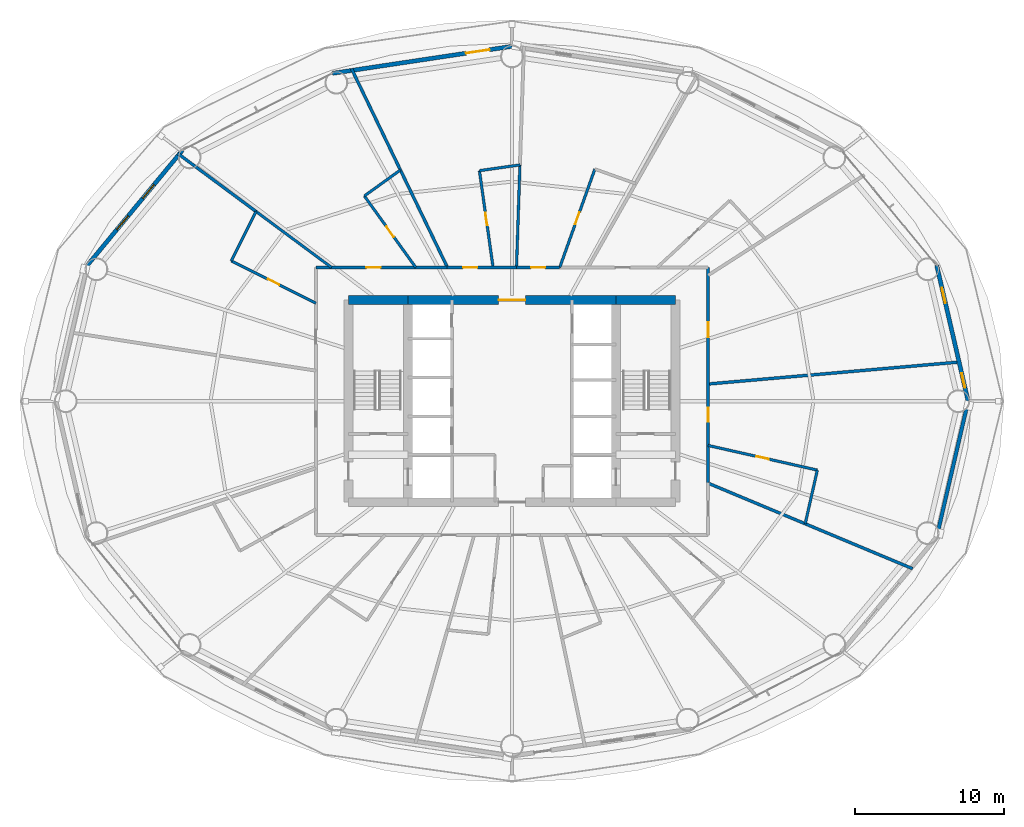
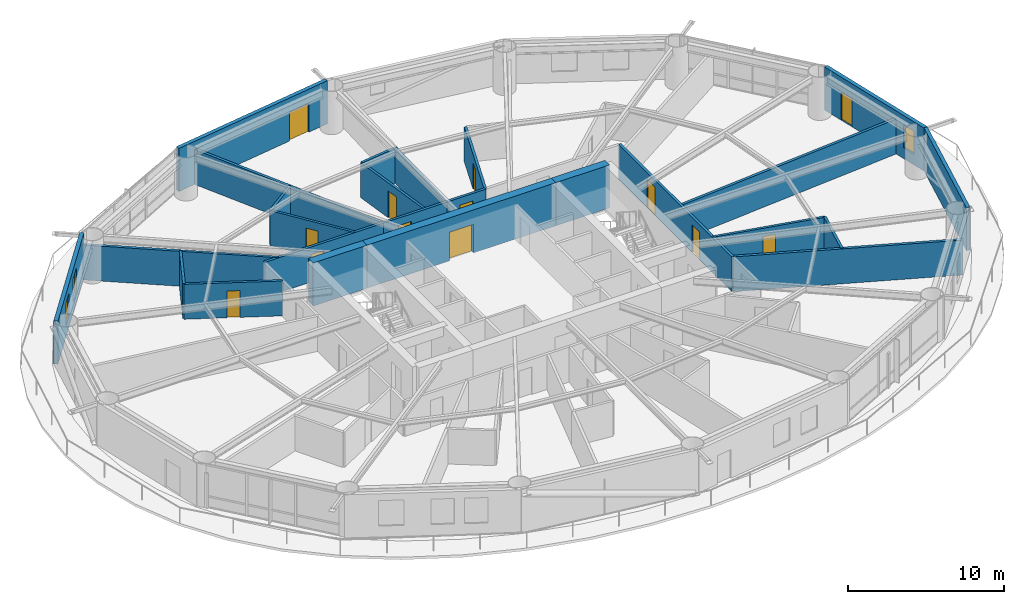
# One storey, part 22 of 26: 26 walls, 13 doors, 3 windows, 16 openings.
"""IFC4 building model written with IfcOpenShell, lengths in metres."""

from ifc_helpers import new_model, si_unit, direction, frame, frame_2d, origin, place, context, subcontext, project, spatial, rectangle, extrude, material, layer, layer_set, type_object, element, fill, save


model = new_model("IFC4")

# Units and contexts
model_context = context("Model", 3, precision=1e-05, world=origin(), true_north=direction((0.0, 1.0)))
body_context = subcontext(model_context, "Body", "Model", "MODEL_VIEW")
ifc_project = project(units=[si_unit("LENGTHUNIT", "METRE"), si_unit("AREAUNIT", "SQUARE_METRE"), si_unit("VOLUMEUNIT", "CUBIC_METRE"), si_unit("PLANEANGLEUNIT", "RADIAN"), si_unit("MASSUNIT", "GRAM", prefix="KILO")], contexts=[model_context])

# Site, building, storey
site_placement = place(None, origin())
site = spatial("IfcSite", under=ifc_project, at=site_placement, CompositionType="ELEMENT")
building_placement = place(site_placement, origin())
building = spatial("IfcBuilding", under=site, at=building_placement, Name="Sarneth Arch Tower", CompositionType="ELEMENT")
storey_placement = place(building_placement, frame((0.0, 0.0, 35.39990234375)))
storey = spatial("IfcBuildingStorey", under=building, at=storey_placement, Name="L07", CompositionType="ELEMENT", Elevation=35.39990234375)

# Wall
ifc_material_1 = material(Name="Concrete C60/75", Category="concrete")
ifc_layer_1 = layer(ifc_material_1, 0.60009765625)
ifc_layer_set_1 = layer_set([ifc_layer_1], Name="Concrete C60/75")
wall_type_1 = type_object("IfcWallType", Name="WALL-CORE-600", PredefinedType="SHEAR", material=ifc_layer_set_1)
wall_1_placement = place(storey_placement, frame((37.0, 48.800048828125, 0.0), z_axis=(0.0, 0.0, 1.0), x_axis=(1.0, 0.0, 0.0)))
element("IfcWall", 1, at=wall_1_placement, inside=storey, type_object=wall_type_1, Name="L07 Core shear wall N-W", PredefinedType="SHEAR", context=body_context, shape_type="SweptSolid", body=[
    extrude(rectangle(XDim=4.0, YDim=0.60009765625, at=frame_2d((2.0, 0.0))), origin(), (0.0, 0.0, 1.0), 3.380126953125),
])

# Wall, opening, door
wall_2_placement = place(storey_placement, frame((41.0, 48.800048828125, 0.0), z_axis=(0.0, 0.0, 1.0), x_axis=(1.0, 0.0, 0.0)))
wall_2 = element("IfcWall", 2, at=wall_2_placement, inside=storey, type_object=wall_type_1, Name="L07 Core shear wall N-M", PredefinedType="SHEAR", context=body_context, shape_type="SweptSolid", body=[
    extrude(rectangle(XDim=14.0, YDim=0.60009765625, at=frame_2d((7.0, 0.0))), origin(), (0.0, 0.0, 1.0), 3.380126953125),
])
opening_1_placement = place(wall_2_placement, frame((6.10009765625, 0.0, 0.0)))
opening_1 = element("IfcOpeningElement", 3, at=opening_1_placement, cuts=wall_2, Name="Opening FD-01", PredefinedType="OPENING", context=body_context, shape_type="SweptSolid", body=[
    extrude(rectangle(XDim=1.800048828125, YDim=2.25, at=frame_2d((0.89990234375, 1.125))), frame((0.0, 0.31005859375, 0.0), z_axis=(0.0, -1.0, 0.0), x_axis=(1.0, 0.0, 0.0)), (0.0, 0.0, 1.0), 0.6201171875),
])
ifc_material_2 = material(Name="Galvanised Steel S275 fire door set", Category="steel")
door_type_1 = type_object("IfcDoorType", Name="DR-FD90-1800", OperationType="DOUBLE_DOOR_SINGLE_SWING", PredefinedType="DOOR", material=ifc_material_2)
door_1_placement = place(opening_1_placement, origin())
door_1 = element("IfcDoor", 4, at=door_1_placement, inside=storey, type_object=door_type_1, Name="L07 Central lift lobby north door", OperationType="DOUBLE_DOOR_SINGLE_SWING", OverallHeight=2.25, OverallWidth=1.800048828125, PredefinedType="DOOR", context=body_context, shape_type="SweptSolid", body=[
    extrude(rectangle(XDim=1.800048828125, YDim=2.25, at=frame_2d((0.89990234375, 1.125))), frame((0.0, 0.02490234375, 0.0), z_axis=(0.0, -1.0, 0.0), x_axis=(1.0, 0.0, 0.0)), (0.0, 0.0, 1.0), 0.050048828125),
])
fill(opening_1, door_1)

# Wall
wall_3_placement = place(storey_placement, frame((55.0, 48.800048828125, 0.0), z_axis=(0.0, 0.0, 1.0), x_axis=(1.0, 0.0, 0.0)))
element("IfcWall", 5, at=wall_3_placement, inside=storey, type_object=wall_type_1, Name="L07 Core shear wall N-E", PredefinedType="SHEAR", context=body_context, shape_type="SweptSolid", body=[
    extrude(rectangle(XDim=4.0, YDim=0.60009765625, at=frame_2d((2.0, 0.0))), origin(), (0.0, 0.0, 1.0), 3.380126953125),
])

# Wall, openings, doors
ifc_material_3 = material(Name="Double steel-stud corridor fire wall", Category="steel")
ifc_layer_2 = layer(ifc_material_3, 0.18994140625)
ifc_layer_set_2 = layer_set([ifc_layer_2], Name="Double steel-stud corridor fire wall")
wall_type_2 = type_object("IfcWallType", Name="WALL-CORR-190", PredefinedType="PARTITIONING", material=ifc_layer_set_2)
wall_4_placement = place(storey_placement, frame((61.199951171875, 51.0, 0.0), z_axis=(0.0, 0.0, 1.0), x_axis=(0.0, -1.0, 0.0)))
wall_4 = element("IfcWall", 6, at=wall_4_placement, inside=storey, type_object=wall_type_2, Name="L07 Interior partition W-L07-TP-001", PredefinedType="PARTITIONING", context=body_context, shape_type="SweptSolid", body=[
    extrude(rectangle(XDim=14.55419921875, YDim=0.18994140625, at=frame_2d((7.277099609375, 0.0))), origin(), (0.0, 0.0, 1.0), 2.739990234375),
])
opening_2_placement = place(wall_4_placement, frame((3.683837890625, 0.0, 0.0)))
opening_2 = element("IfcOpeningElement", 7, at=opening_2_placement, cuts=wall_4, Name="Opening FD-08", PredefinedType="OPENING", context=body_context, shape_type="SweptSolid", body=[
    extrude(rectangle(XDim=1.0, YDim=2.199951171875, at=frame_2d((0.5, 1.10009765625))), frame((0.0, 0.10498046875, 0.0), z_axis=(0.0, -1.0, 0.0), x_axis=(1.0, 0.0, 0.0)), (0.0, 0.0, 1.0), 0.2099609375),
])
opening_3_placement = place(wall_4_placement, frame((9.43798828125, 0.0, 0.0)))
opening_3 = element("IfcOpeningElement", 8, at=opening_3_placement, cuts=wall_4, Name="Opening FD-09", PredefinedType="OPENING", context=body_context, shape_type="SweptSolid", body=[
    extrude(rectangle(XDim=0.949951171875, YDim=2.14990234375, at=frame_2d((0.47509765625, 1.074951171875))), frame((0.0, 0.10498046875, 0.0), z_axis=(0.0, -1.0, 0.0), x_axis=(1.0, 0.0, 0.0)), (0.0, 0.0, 1.0), 0.2099609375),
])
ifc_material_4 = material(Name="Hardwood timber acoustic fire door", Category="wood")
door_type_2 = type_object("IfcDoorType", Name="DR-FD60-1000", OperationType="SINGLE_SWING_LEFT", PredefinedType="DOOR", material=ifc_material_4)
door_2_placement = place(opening_2_placement, origin())
door_2 = element("IfcDoor", 9, at=door_2_placement, inside=storey, type_object=door_type_2, Name="L07 Interior door DR-L07-AMN-01", OperationType="SINGLE_SWING_LEFT", OverallHeight=2.199951171875, OverallWidth=1.0, PredefinedType="DOOR", context=body_context, shape_type="SweptSolid", body=[
    extrude(rectangle(XDim=1.0, YDim=2.199951171875, at=frame_2d((0.5, 1.10009765625))), frame((0.0, 0.02490234375, 0.0), z_axis=(0.0, -1.0, 0.0), x_axis=(1.0, 0.0, 0.0)), (0.0, 0.0, 1.0), 0.050048828125),
])
fill(opening_2, door_2)
ifc_material_5 = material(Name="Hardwood timber hotel entrance fire door", Category="wood")
door_type_3 = type_object("IfcDoorType", Name="DR-FD60-950", OperationType="SINGLE_SWING_RIGHT", PredefinedType="DOOR", material=ifc_material_5)
door_3_placement = place(opening_3_placement, origin())
door_3 = element("IfcDoor", 10, at=door_3_placement, inside=storey, type_object=door_type_3, Name="L07 Interior door DR-L07-KEY-13", OperationType="SINGLE_SWING_LEFT", OverallHeight=2.14990234375, OverallWidth=0.949951171875, PredefinedType="DOOR", context=body_context, shape_type="SweptSolid", body=[
    extrude(rectangle(XDim=0.949951171875, YDim=2.14990234375, at=frame_2d((0.47509765625, 1.074951171875))), frame((0.0, 0.02490234375, 0.0), z_axis=(0.0, -1.0, 0.0), x_axis=(1.0, 0.0, 0.0)), (0.0, 0.0, 1.0), 0.050048828125),
])
fill(opening_3, door_3)

# Wall, opening, door
wall_5_placement = place(storey_placement, frame((34.800048828125, 51.0, 0.0), z_axis=(0.0, 0.0, 1.0), x_axis=(1.0, 0.0, 0.0)))
wall_5 = element("IfcWall", 11, at=wall_5_placement, inside=storey, type_object=wall_type_2, Name="L07 Interior partition W-L07-TP-009", PredefinedType="PARTITIONING", context=body_context, shape_type="SweptSolid", body=[
    extrude(rectangle(XDim=8.890625, YDim=0.18994140625, at=frame_2d((4.4453125, 0.0))), origin(), (0.0, 0.0, 1.0), 2.739990234375),
])
opening_4_placement = place(wall_5_placement, frame((3.40673828125, 0.0, 0.0)))
opening_4 = element("IfcOpeningElement", 12, at=opening_4_placement, cuts=wall_5, Name="Opening FD-09", PredefinedType="OPENING", context=body_context, shape_type="SweptSolid", body=[
    extrude(rectangle(XDim=0.949951171875, YDim=2.14990234375, at=frame_2d((0.47509765625, 1.074951171875))), frame((0.0, 0.10498046875, 0.0), z_axis=(0.0, -1.0, 0.0), x_axis=(1.0, 0.0, 0.0)), (0.0, 0.0, 1.0), 0.2099609375),
])
door_4_placement = place(opening_4_placement, origin())
door_4 = element("IfcDoor", 13, at=door_4_placement, inside=storey, type_object=door_type_3, Name="L07 Interior door DR-L07-KEY-05", OperationType="SINGLE_SWING_LEFT", OverallHeight=2.14990234375, OverallWidth=0.949951171875, PredefinedType="DOOR", context=body_context, shape_type="SweptSolid", body=[
    extrude(rectangle(XDim=0.949951171875, YDim=2.14990234375, at=frame_2d((0.47509765625, 1.074951171875))), frame((0.0, 0.02490234375, 0.0), z_axis=(0.0, -1.0, 0.0), x_axis=(1.0, 0.0, 0.0)), (0.0, 0.0, 1.0), 0.050048828125),
])
fill(opening_4, door_4)

wall_6_placement = place(storey_placement, frame((43.61962890625, 51.0, 0.0), z_axis=(0.0, 0.0, 1.0), x_axis=(1.0, 0.0, 0.0)))
wall_6 = element("IfcWall", 14, at=wall_6_placement, inside=storey, type_object=wall_type_2, Name="L07 Interior partition W-L07-TP-007", PredefinedType="PARTITIONING", context=body_context, shape_type="SweptSolid", body=[
    extrude(rectangle(XDim=4.6826171875, YDim=0.18994140625, at=frame_2d((2.34130859375, 0.0))), origin(), (0.0, 0.0, 1.0), 2.739990234375),
])
opening_5_placement = place(wall_6_placement, frame((1.09521484375, 0.0, 0.0)))
opening_5 = element("IfcOpeningElement", 15, at=opening_5_placement, cuts=wall_6, Name="Opening FD-09", PredefinedType="OPENING", context=body_context, shape_type="SweptSolid", body=[
    extrude(rectangle(XDim=0.949951171875, YDim=2.14990234375, at=frame_2d((0.47509765625, 1.074951171875))), frame((0.0, 0.10498046875, 0.0), z_axis=(0.0, -1.0, 0.0), x_axis=(1.0, 0.0, 0.0)), (0.0, 0.0, 1.0), 0.2099609375),
])
door_5_placement = place(opening_5_placement, origin())
door_5 = element("IfcDoor", 16, at=door_5_placement, inside=storey, type_object=door_type_3, Name="L07 Interior door DR-L07-KEY-04", OperationType="SINGLE_SWING_LEFT", OverallHeight=2.14990234375, OverallWidth=0.949951171875, PredefinedType="DOOR", context=body_context, shape_type="SweptSolid", body=[
    extrude(rectangle(XDim=0.949951171875, YDim=2.14990234375, at=frame_2d((0.47509765625, 1.074951171875))), frame((0.0, 0.02490234375, 0.0), z_axis=(0.0, -1.0, 0.0), x_axis=(1.0, 0.0, 0.0)), (0.0, 0.0, 1.0), 0.050048828125),
])
fill(opening_5, door_5)

wall_7_placement = place(storey_placement, frame((51.212890625, 51.0, 0.0), z_axis=(0.0, 0.0, 1.0), x_axis=(-1.0, 0.0, 0.0)))
wall_7 = element("IfcWall", 17, at=wall_7_placement, inside=storey, type_object=wall_type_2, Name="L07 Interior partition W-L07-TP-005", PredefinedType="PARTITIONING", context=body_context, shape_type="SweptSolid", body=[
    extrude(rectangle(XDim=2.91064453125, YDim=0.18994140625, at=frame_2d((1.455322265625, 0.0))), origin(), (0.0, 0.0, 1.0), 2.739990234375),
])
opening_6_placement = place(wall_7_placement, frame((0.980224609375, 0.0, 0.0)))
opening_6 = element("IfcOpeningElement", 18, at=opening_6_placement, cuts=wall_7, Name="Opening FD-09", PredefinedType="OPENING", context=body_context, shape_type="SweptSolid", body=[
    extrude(rectangle(XDim=0.949951171875, YDim=2.14990234375, at=frame_2d((0.47509765625, 1.074951171875))), frame((0.0, 0.10498046875, 0.0), z_axis=(0.0, -1.0, 0.0), x_axis=(1.0, 0.0, 0.0)), (0.0, 0.0, 1.0), 0.2099609375),
])
door_6_placement = place(opening_6_placement, origin())
door_6 = element("IfcDoor", 19, at=door_6_placement, inside=storey, type_object=door_type_3, Name="L07 Interior door DR-L07-KEY-03", OperationType="SINGLE_SWING_LEFT", OverallHeight=2.14990234375, OverallWidth=0.949951171875, PredefinedType="DOOR", context=body_context, shape_type="SweptSolid", body=[
    extrude(rectangle(XDim=0.949951171875, YDim=2.14990234375, at=frame_2d((0.47509765625, 1.074951171875))), frame((0.0, 0.02490234375, 0.0), z_axis=(0.0, -1.0, 0.0), x_axis=(1.0, 0.0, 0.0)), (0.0, 0.0, 1.0), 0.050048828125),
])
fill(opening_6, door_6)

# Wall
ifc_material_6 = material(Name="Extruded terracotta rainscreen on Concrete C40/50 backing", Category="masonry")
ifc_layer_3 = layer(ifc_material_6, 0.25)
ifc_layer_set_3 = layer_set([ifc_layer_3], Name="Extruded terracotta rainscreen on Concrete C40/50 backing")
wall_type_3 = type_object("IfcWallType", Name="WALL-EXT-SPAND-250", PredefinedType="SOLIDWALL", material=ifc_layer_set_3)
wall_8_placement = place(storey_placement, frame((76.5810546875, 32.861572265625, 0.0), z_axis=(0.0, 0.0, 1.0), x_axis=(0.225454452941, 0.974253709076, 0.0)))
element("IfcWall", 20, at=wall_8_placement, inside=storey, type_object=wall_type_3, Name="L07 Terracotta perimeter wall 16", PredefinedType="SOLIDWALL", context=body_context, shape_type="SweptSolid", body=[
    extrude(rectangle(XDim=9.3798828125, YDim=0.25, at=frame_2d((4.68994140625, 0.0))), origin(), (0.0, 0.0, 1.0), 3.380126953125),
])

# Wall, openings, door, window
ifc_material_7 = material(Name="Extruded terracotta rainscreen on Concrete C40/50 backing", Category="masonry")
ifc_layer_4 = layer(ifc_material_7, 0.280029296875)
ifc_layer_set_4 = layer_set([ifc_layer_4], Name="Extruded terracotta rainscreen on Concrete C40/50 backing")
wall_type_4 = type_object("IfcWallType", Name="WALL-EXT-TERRA-280", PredefinedType="SOLIDWALL", material=ifc_layer_set_4)
wall_9_placement = place(storey_placement, frame((78.69580078125, 42.0, 0.0), z_axis=(0.0, 0.0, 1.0), x_axis=(-0.225454452941, 0.974253709076, 0.0)))
wall_9 = element("IfcWall", 21, at=wall_9_placement, inside=storey, type_object=wall_type_4, Name="L07 Terracotta perimeter wall 01", PredefinedType="SOLIDWALL", context=body_context, shape_type="SweptSolid", body=[
    extrude(rectangle(XDim=9.3798828125, YDim=0.280029296875, at=frame_2d((4.68994140625, 0.0))), origin(), (0.0, 0.0, 1.0), 3.380126953125),
])
opening_7_placement = place(wall_9_placement, frame((6.78515625, 0.0, 0.0)))
opening_7 = element("IfcOpeningElement", 22, at=opening_7_placement, cuts=wall_9, Name="Opening BD-4", PredefinedType="OPENING", context=body_context, shape_type="SweptSolid", body=[
    extrude(rectangle(XDim=1.050048828125, YDim=2.199951171875, at=frame_2d((0.52490234375, 1.10009765625))), frame((0.0, 0.14990234375, 0.0), z_axis=(0.0, -1.0, 0.0), x_axis=(1.0, 0.0, 0.0)), (0.0, 0.0, 1.0), 0.300048828125),
])
opening_8_placement = place(wall_9_placement, frame((0.928955078125, 0.0, 0.85009765625)))
opening_8 = element("IfcOpeningElement", 23, at=opening_8_placement, cuts=wall_9, Name="Opening W-11", PredefinedType="OPENING", context=body_context, shape_type="SweptSolid", body=[
    extrude(rectangle(XDim=1.0, YDim=1.800048828125, at=frame_2d((0.5, 0.89990234375))), frame((0.0, 0.14990234375, 0.0), z_axis=(0.0, -1.0, 0.0), x_axis=(1.0, 0.0, 0.0)), (0.0, 0.0, 1.0), 0.300048828125),
])
ifc_material_8 = material(Name="Thermally broken Aluminium 6063-T6 and laminated safety glass", Category="aluminium")
door_type_4 = type_object("IfcDoorType", Name="DR-BALC-GLZ-1050", OperationType="SINGLE_SWING_RIGHT", PredefinedType="DOOR", material=ifc_material_8)
door_7_placement = place(opening_7_placement, origin())
door_7 = element("IfcDoor", 24, at=door_7_placement, inside=storey, type_object=door_type_4, Name="L07 Balcony glazed door 01", OperationType="SINGLE_SWING_RIGHT", OverallHeight=2.199951171875, OverallWidth=1.050048828125, PredefinedType="DOOR", context=body_context, shape_type="SweptSolid", body=[
    extrude(rectangle(XDim=1.050048828125, YDim=2.199951171875, at=frame_2d((0.52490234375, 1.10009765625))), frame((0.0, 0.02490234375, 0.0), z_axis=(0.0, -1.0, 0.0), x_axis=(1.0, 0.0, 0.0)), (0.0, 0.0, 1.0), 0.050048828125),
])
fill(opening_7, door_7)
ifc_material_9 = material(Name="Thermally broken Aluminium 6063-T6 and low-e laminated IGU", Category="aluminium")
window_type_1 = type_object("IfcWindowType", Name="WIN-TWR-1000x1800", PartitioningType="SINGLE_PANEL", PredefinedType="WINDOW", material=ifc_material_9)
window_1_placement = place(opening_8_placement, origin())
window_1 = element("IfcWindow", 25, at=window_1_placement, inside=storey, type_object=window_type_1, Name="L07 Dwelling bedroom window 02", OverallHeight=1.800048828125, OverallWidth=1.0, PartitioningType="SINGLE_PANEL", PredefinedType="WINDOW", context=body_context, shape_type="SweptSolid", body=[
    extrude(rectangle(XDim=1.0, YDim=1.800048828125, at=frame_2d((0.5, 0.89990234375))), frame((0.0, 0.030029296875, 0.0), z_axis=(0.0, -1.0, 0.0), x_axis=(1.0, 0.0, 0.0)), (0.0, 0.0, 1.0), 0.06005859375),
])
fill(opening_8, window_1)

# Wall, opening, door
wall_10_placement = place(storey_placement, frame((48.0, 65.8798828125, 0.0), z_axis=(0.0, 0.0, 1.0), x_axis=(-0.988864835849, -0.148816452121, 0.0)))
wall_10 = element("IfcWall", 26, at=wall_10_placement, inside=storey, type_object=wall_type_4, Name="L07 Terracotta perimeter wall 05", PredefinedType="SOLIDWALL", context=body_context, shape_type="SweptSolid", body=[
    extrude(rectangle(XDim=12.2138671875, YDim=0.280029296875, at=frame_2d((6.10693359375, 0.0))), origin(), (0.0, 0.0, 1.0), 3.380126953125),
])
opening_9_placement = place(wall_10_placement, frame((1.53125, 0.0, 0.0)))
opening_9 = element("IfcOpeningElement", 27, at=opening_9_placement, cuts=wall_10, Name="Opening BD-1", PredefinedType="OPENING", context=body_context, shape_type="SweptSolid", body=[
    extrude(rectangle(XDim=1.60009765625, YDim=2.25, at=frame_2d((0.800048828125, 1.125))), frame((0.0, 0.14990234375, 0.0), z_axis=(0.0, -1.0, 0.0), x_axis=(1.0, 0.0, 0.0)), (0.0, 0.0, 1.0), 0.300048828125),
])
ifc_material_10 = material(Name="Thermally broken Aluminium 6063-T6 and laminated safety glass", Category="aluminium")
door_type_5 = type_object("IfcDoorType", Name="DR-BALC-GLZ-1600", OperationType="DOUBLE_DOOR_SINGLE_SWING", PredefinedType="DOOR", material=ifc_material_10)
door_8_placement = place(opening_9_placement, origin())
door_8 = element("IfcDoor", 28, at=door_8_placement, inside=storey, type_object=door_type_5, Name="L07 Balcony glazed door 05", OperationType="DOUBLE_DOOR_SINGLE_SWING", OverallHeight=2.25, OverallWidth=1.60009765625, PredefinedType="DOOR", context=body_context, shape_type="SweptSolid", body=[
    extrude(rectangle(XDim=1.60009765625, YDim=2.25, at=frame_2d((0.800048828125, 1.125))), frame((0.0, 0.02490234375, 0.0), z_axis=(0.0, -1.0, 0.0), x_axis=(1.0, 0.0, 0.0)), (0.0, 0.0, 1.0), 0.050048828125),
])
fill(opening_9, door_8)

# Wall, openings, windows
wall_11_placement = place(storey_placement, frame((25.825927734375, 58.8857421875, 0.0), z_axis=(0.0, 0.0, 1.0), x_axis=(-0.637296809613, -0.770618437657, 0.0)))
wall_11 = element("IfcWall", 29, at=wall_11_placement, inside=storey, type_object=wall_type_4, Name="L07 Terracotta perimeter wall 07", PredefinedType="SOLIDWALL", context=body_context, shape_type="SweptSolid", body=[
    extrude(rectangle(XDim=10.053466796875, YDim=0.280029296875, at=frame_2d((5.02685546875, 0.0))), origin(), (0.0, 0.0, 1.0), 3.380126953125),
])
opening_10_placement = place(wall_11_placement, frame((2.998046875, 0.0, 0.85009765625)))
opening_10 = element("IfcOpeningElement", 30, at=opening_10_placement, cuts=wall_11, Name="Opening W-09", PredefinedType="OPENING", context=body_context, shape_type="SweptSolid", body=[
    extrude(rectangle(XDim=1.199951171875, YDim=1.800048828125, at=frame_2d((0.60009765625, 0.89990234375))), frame((0.0, 0.14990234375, 0.0), z_axis=(0.0, -1.0, 0.0), x_axis=(1.0, 0.0, 0.0)), (0.0, 0.0, 1.0), 0.300048828125),
])
opening_11_placement = place(wall_11_placement, frame((5.729736328125, 0.0, 0.85009765625)))
opening_11 = element("IfcOpeningElement", 31, at=opening_11_placement, cuts=wall_11, Name="Opening W-09", PredefinedType="OPENING", context=body_context, shape_type="SweptSolid", body=[
    extrude(rectangle(XDim=1.199951171875, YDim=1.800048828125, at=frame_2d((0.60009765625, 0.89990234375))), frame((0.0, 0.14990234375, 0.0), z_axis=(0.0, -1.0, 0.0), x_axis=(1.0, 0.0, 0.0)), (0.0, 0.0, 1.0), 0.300048828125),
])
ifc_material_11 = material(Name="Thermally broken Aluminium 6063-T6 and low-e laminated IGU", Category="aluminium")
window_type_2 = type_object("IfcWindowType", Name="WIN-TWR-1200x1800", PartitioningType="SINGLE_PANEL", PredefinedType="WINDOW", material=ifc_material_11)
window_2_placement = place(opening_10_placement, origin())
window_2 = element("IfcWindow", 32, at=window_2_placement, inside=storey, type_object=window_type_2, Name="L07 Exterior window 07A", OverallHeight=1.800048828125, OverallWidth=1.199951171875, PartitioningType="SINGLE_PANEL", PredefinedType="WINDOW", context=body_context, shape_type="SweptSolid", body=[
    extrude(rectangle(XDim=1.199951171875, YDim=1.800048828125, at=frame_2d((0.60009765625, 0.89990234375))), frame((0.0, 0.030029296875, 0.0), z_axis=(0.0, -1.0, 0.0), x_axis=(1.0, 0.0, 0.0)), (0.0, 0.0, 1.0), 0.06005859375),
])
fill(opening_10, window_2)
window_3_placement = place(opening_11_placement, origin())
window_3 = element("IfcWindow", 33, at=window_3_placement, inside=storey, type_object=window_type_2, Name="L07 Exterior window 07B", OverallHeight=1.800048828125, OverallWidth=1.199951171875, PartitioningType="SINGLE_PANEL", PredefinedType="WINDOW", context=body_context, shape_type="SweptSolid", body=[
    extrude(rectangle(XDim=1.199951171875, YDim=1.800048828125, at=frame_2d((0.60009765625, 0.89990234375))), frame((0.0, 0.030029296875, 0.0), z_axis=(0.0, -1.0, 0.0), x_axis=(1.0, 0.0, 0.0)), (0.0, 0.0, 1.0), 0.06005859375),
])
fill(opening_11, window_3)

# Wall, opening, door
ifc_material_12 = material(Name="Moisture-resistant plumbing chase wall", Category="gypsum")
ifc_layer_5 = layer(ifc_material_12, 0.179931640625)
ifc_layer_set_5 = layer_set([ifc_layer_5], Name="Moisture-resistant plumbing chase wall")
wall_type_5 = type_object("IfcWallType", Name="WALL-PLUMB-180", PredefinedType="PLUMBINGWALL", material=ifc_layer_set_5)
wall_12_placement = place(storey_placement, frame((68.546875, 37.36083984375, 0.0), z_axis=(0.0, 0.0, 1.0), x_axis=(-0.975442349969, 0.220254902072, 0.0)))
wall_12 = element("IfcWall", 34, at=wall_12_placement, inside=storey, type_object=wall_type_5, Name="L07 Interior partition W-L07-TP-074", PredefinedType="PLUMBINGWALL", context=body_context, shape_type="SweptSolid", body=[
    extrude(rectangle(XDim=7.531982421875, YDim=0.179931640625, at=frame_2d((3.76611328125, 0.0))), origin(), (0.0, 0.0, 1.0), 2.739990234375),
])
opening_12_placement = place(wall_12_placement, frame((3.3408203125, 0.0, 0.0)))
opening_12 = element("IfcOpeningElement", 35, at=opening_12_placement, cuts=wall_12, Name="Opening ID-02", PredefinedType="OPENING", context=body_context, shape_type="SweptSolid", body=[
    extrude(rectangle(XDim=0.85009765625, YDim=2.10009765625, at=frame_2d((0.425048828125, 1.050048828125))), frame((0.0, 0.099853515625, 0.0), z_axis=(0.0, -1.0, 0.0), x_axis=(1.0, 0.0, 0.0)), (0.0, 0.0, 1.0), 0.199951171875),
])
ifc_material_13 = material(Name="Moisture-resistant bathroom timber door", Category="wood")
door_type_6 = type_object("IfcDoorType", Name="DR-INT-850", OperationType="SINGLE_SWING_RIGHT", PredefinedType="DOOR", material=ifc_material_13)
door_9_placement = place(opening_12_placement, origin())
door_9 = element("IfcDoor", 36, at=door_9_placement, inside=storey, type_object=door_type_6, Name="L07 Interior door DR-L07-ENS-13", OperationType="SINGLE_SWING_LEFT", OverallHeight=2.10009765625, OverallWidth=0.85009765625, PredefinedType="DOOR", context=body_context, shape_type="SweptSolid", body=[
    extrude(rectangle(XDim=0.85009765625, YDim=2.10009765625, at=frame_2d((0.425048828125, 1.050048828125))), frame((0.0, 0.02490234375, 0.0), z_axis=(0.0, -1.0, 0.0), x_axis=(1.0, 0.0, 0.0)), (0.0, 0.0, 1.0), 0.050048828125),
])
fill(opening_12, door_9)

wall_13_placement = place(storey_placement, frame((53.576416015625, 57.62060546875, 0.0), z_axis=(0.0, 0.0, 1.0), x_axis=(-0.336213191961, -0.941785904307, 0.0)))
wall_13 = element("IfcWall", 37, at=wall_13_placement, inside=storey, type_object=wall_type_5, Name="L07 Interior partition W-L07-TP-037", PredefinedType="PLUMBINGWALL", context=body_context, shape_type="SweptSolid", body=[
    extrude(rectangle(XDim=7.02978515625, YDim=0.179931640625, at=frame_2d((3.514892578125, 0.0))), origin(), (0.0, 0.0, 1.0), 2.739990234375),
])
opening_13_placement = place(wall_13_placement, frame((3.08984375, 0.0, 0.0)))
opening_13 = element("IfcOpeningElement", 38, at=opening_13_placement, cuts=wall_13, Name="Opening ID-02", PredefinedType="OPENING", context=body_context, shape_type="SweptSolid", body=[
    extrude(rectangle(XDim=0.85009765625, YDim=2.10009765625, at=frame_2d((0.425048828125, 1.050048828125))), frame((0.0, 0.099853515625, 0.0), z_axis=(0.0, -1.0, 0.0), x_axis=(1.0, 0.0, 0.0)), (0.0, 0.0, 1.0), 0.199951171875),
])
door_10_placement = place(opening_13_placement, origin())
door_10 = element("IfcDoor", 39, at=door_10_placement, inside=storey, type_object=door_type_6, Name="L07 Interior door DR-L07-ENS-03", OperationType="SINGLE_SWING_RIGHT", OverallHeight=2.10009765625, OverallWidth=0.85009765625, PredefinedType="DOOR", context=body_context, shape_type="SweptSolid", body=[
    extrude(rectangle(XDim=0.85009765625, YDim=2.10009765625, at=frame_2d((0.425048828125, 1.050048828125))), frame((0.0, 0.02490234375, 0.0), z_axis=(0.0, -1.0, 0.0), x_axis=(1.0, 0.0, 0.0)), (0.0, 0.0, 1.0), 0.050048828125),
])
fill(opening_13, door_10)

# Wall
wall_14_placement = place(storey_placement, frame((48.53369140625, 57.897216796875, 0.0), z_axis=(0.0, 0.0, 1.0), x_axis=(-0.033537457551, -0.999437461246, 0.0)))
element("IfcWall", 40, at=wall_14_placement, inside=storey, type_object=wall_type_5, Name="L07 Interior partition W-L07-TP-039", PredefinedType="PLUMBINGWALL", context=body_context, shape_type="SweptSolid", body=[
    extrude(rectangle(XDim=6.901123046875, YDim=0.179931640625, at=frame_2d((3.45068359375, 0.0))), origin(), (0.0, 0.0, 1.0), 2.739990234375),
])

# Wall, opening, door
wall_15_placement = place(storey_placement, frame((46.727783203125, 51.0, 0.0), z_axis=(0.0, 0.0, 1.0), x_axis=(-0.139991961821, 0.990152640064, 0.0)))
wall_15 = element("IfcWall", 41, at=wall_15_placement, inside=storey, type_object=wall_type_5, Name="L07 Interior partition W-L07-TP-040", PredefinedType="PLUMBINGWALL", context=body_context, shape_type="SweptSolid", body=[
    extrude(rectangle(XDim=6.576416015625, YDim=0.179931640625, at=frame_2d((3.2880859375, 0.0))), origin(), (0.0, 0.0, 1.0), 2.739990234375),
])
opening_14_placement = place(wall_15_placement, frame((2.86328125, 0.0, 0.0)))
opening_14 = element("IfcOpeningElement", 42, at=opening_14_placement, cuts=wall_15, Name="Opening ID-02", PredefinedType="OPENING", context=body_context, shape_type="SweptSolid", body=[
    extrude(rectangle(XDim=0.85009765625, YDim=2.10009765625, at=frame_2d((0.425048828125, 1.050048828125))), frame((0.0, 0.099853515625, 0.0), z_axis=(0.0, -1.0, 0.0), x_axis=(1.0, 0.0, 0.0)), (0.0, 0.0, 1.0), 0.199951171875),
])
door_11_placement = place(opening_14_placement, origin())
door_11 = element("IfcDoor", 43, at=door_11_placement, inside=storey, type_object=door_type_6, Name="L07 Interior door DR-L07-ENS-04", OperationType="SINGLE_SWING_RIGHT", OverallHeight=2.10009765625, OverallWidth=0.85009765625, PredefinedType="DOOR", context=body_context, shape_type="SweptSolid", body=[
    extrude(rectangle(XDim=0.85009765625, YDim=2.10009765625, at=frame_2d((0.425048828125, 1.050048828125))), frame((0.0, 0.02490234375, 0.0), z_axis=(0.0, -1.0, 0.0), x_axis=(1.0, 0.0, 0.0)), (0.0, 0.0, 1.0), 0.050048828125),
])
fill(opening_14, door_11)

wall_16_placement = place(storey_placement, frame((34.800048828125, 48.601318359375, 0.0), z_axis=(0.0, 0.0, 1.0), x_axis=(-0.894404156958, 0.447259660617, 0.0)))
wall_16 = element("IfcWall", 44, at=wall_16_placement, inside=storey, type_object=wall_type_5, Name="L07 Interior partition W-L07-TP-048", PredefinedType="PLUMBINGWALL", context=body_context, shape_type="SweptSolid", body=[
    extrude(rectangle(XDim=6.35986328125, YDim=0.179931640625, at=frame_2d((3.179931640625, 0.0))), origin(), (0.0, 0.0, 1.0), 2.739990234375),
])
opening_15_placement = place(wall_16_placement, frame((2.7548828125, 0.0, 0.0)))
opening_15 = element("IfcOpeningElement", 45, at=opening_15_placement, cuts=wall_16, Name="Opening ID-02", PredefinedType="OPENING", context=body_context, shape_type="SweptSolid", body=[
    extrude(rectangle(XDim=0.85009765625, YDim=2.10009765625, at=frame_2d((0.425048828125, 1.050048828125))), frame((0.0, 0.099853515625, 0.0), z_axis=(0.0, -1.0, 0.0), x_axis=(1.0, 0.0, 0.0)), (0.0, 0.0, 1.0), 0.199951171875),
])
door_12_placement = place(opening_15_placement, origin())
door_12 = element("IfcDoor", 46, at=door_12_placement, inside=storey, type_object=door_type_6, Name="L07 Interior door DR-L07-ENS-06", OperationType="SINGLE_SWING_RIGHT", OverallHeight=2.10009765625, OverallWidth=0.85009765625, PredefinedType="DOOR", context=body_context, shape_type="SweptSolid", body=[
    extrude(rectangle(XDim=0.85009765625, YDim=2.10009765625, at=frame_2d((0.425048828125, 1.050048828125))), frame((0.0, 0.02490234375, 0.0), z_axis=(0.0, -1.0, 0.0), x_axis=(1.0, 0.0, 0.0)), (0.0, 0.0, 1.0), 0.050048828125),
])
fill(opening_15, door_12)

# Wall
wall_17_placement = place(storey_placement, frame((30.772216796875, 54.765869140625, 0.0), z_axis=(0.0, 0.0, 1.0), x_axis=(0.803451199128, -0.595370616187, 0.0)))
element("IfcWall", 47, at=wall_17_placement, inside=storey, type_object=wall_type_5, Name="L07 Interior partition W-L07-TP-047", PredefinedType="PLUMBINGWALL", context=body_context, shape_type="SweptSolid", body=[
    extrude(rectangle(XDim=6.3251953125, YDim=0.179931640625, at=frame_2d((3.16259765625, 0.0))), origin(), (0.0, 0.0, 1.0), 2.739990234375),
])

# Wall, opening, door
wall_18_placement = place(storey_placement, frame((38.0634765625, 55.80859375, 0.0), z_axis=(0.0, 0.0, 1.0), x_axis=(0.584084318507, -0.811692989297, 0.0)))
wall_18 = element("IfcWall", 48, at=wall_18_placement, inside=storey, type_object=wall_type_5, Name="L07 Interior partition W-L07-TP-045", PredefinedType="PLUMBINGWALL", context=body_context, shape_type="SweptSolid", body=[
    extrude(rectangle(XDim=5.924072265625, YDim=0.179931640625, at=frame_2d((2.9619140625, 0.0))), origin(), (0.0, 0.0, 1.0), 2.739990234375),
])
opening_16_placement = place(wall_18_placement, frame((2.537109375, 0.0, 0.0)))
opening_16 = element("IfcOpeningElement", 49, at=opening_16_placement, cuts=wall_18, Name="Opening ID-02", PredefinedType="OPENING", context=body_context, shape_type="SweptSolid", body=[
    extrude(rectangle(XDim=0.85009765625, YDim=2.10009765625, at=frame_2d((0.425048828125, 1.050048828125))), frame((0.0, 0.099853515625, 0.0), z_axis=(0.0, -1.0, 0.0), x_axis=(1.0, 0.0, 0.0)), (0.0, 0.0, 1.0), 0.199951171875),
])
door_13_placement = place(opening_16_placement, origin())
door_13 = element("IfcDoor", 50, at=door_13_placement, inside=storey, type_object=door_type_6, Name="L07 Interior door DR-L07-ENS-05", OperationType="SINGLE_SWING_RIGHT", OverallHeight=2.10009765625, OverallWidth=0.85009765625, PredefinedType="DOOR", context=body_context, shape_type="SweptSolid", body=[
    extrude(rectangle(XDim=0.85009765625, YDim=2.10009765625, at=frame_2d((0.425048828125, 1.050048828125))), frame((0.0, 0.02490234375, 0.0), z_axis=(0.0, -1.0, 0.0), x_axis=(1.0, 0.0, 0.0)), (0.0, 0.0, 1.0), 0.050048828125),
])
fill(opening_16, door_13)

# Walls
wall_19_placement = place(storey_placement, frame((29.11181640625, 51.44580078125, 0.0), z_axis=(0.0, 0.0, 1.0), x_axis=(0.447292516126, 0.894387726334, 0.0)))
element("IfcWall", 51, at=wall_19_placement, inside=storey, type_object=wall_type_5, Name="L07 Interior partition W-L07-TP-049", PredefinedType="PLUMBINGWALL", context=body_context, shape_type="SweptSolid", body=[
    extrude(rectangle(XDim=3.712158203125, YDim=0.179931640625, at=frame_2d((1.85595703125, 0.0))), origin(), (0.0, 0.0, 1.0), 2.739990234375),
])
wall_20_placement = place(storey_placement, frame((67.7314453125, 33.749267578125, 0.0), z_axis=(0.0, 0.0, 1.0), x_axis=(0.220238608567, 0.9754460289, 0.0)))
element("IfcWall", 52, at=wall_20_placement, inside=storey, type_object=wall_type_5, Name="L07 Interior partition W-L07-TP-073", PredefinedType="PLUMBINGWALL", context=body_context, shape_type="SweptSolid", body=[
    extrude(rectangle(XDim=3.702392578125, YDim=0.179931640625, at=frame_2d((1.85107421875, 0.0))), origin(), (0.0, 0.0, 1.0), 2.739990234375),
])
wall_21_placement = place(storey_placement, frame((40.490478515625, 57.55517578125, 0.0), z_axis=(0.0, 0.0, 1.0), x_axis=(-0.811670601443, -0.584115429305, 0.0)))
element("IfcWall", 53, at=wall_21_placement, inside=storey, type_object=wall_type_5, Name="L07 Interior partition W-L07-TP-044", PredefinedType="PLUMBINGWALL", context=body_context, shape_type="SweptSolid", body=[
    extrude(rectangle(XDim=2.990234375, YDim=0.179931640625, at=frame_2d((1.4951171875, 0.0))), origin(), (0.0, 0.0, 1.0), 2.739990234375),
])
wall_22_placement = place(storey_placement, frame((45.80712890625, 57.51171875, 0.0), z_axis=(0.0, 0.0, 1.0), x_axis=(0.990152382036, 0.139993786823, 0.0)))
element("IfcWall", 54, at=wall_22_placement, inside=storey, type_object=wall_type_5, Name="L07 Interior partition W-L07-TP-041", PredefinedType="PLUMBINGWALL", context=body_context, shape_type="SweptSolid", body=[
    extrude(rectangle(XDim=2.753662109375, YDim=0.179931640625, at=frame_2d((1.376953125, 0.0))), origin(), (0.0, 0.0, 1.0), 2.739990234375),
])
ifc_material_14 = material(Name="Double steel-stud acoustic drywall", Category="steel")
ifc_layer_6 = layer(ifc_material_14, 0.199951171875)
ifc_layer_set_6 = layer_set([ifc_layer_6], Name="Double steel-stud acoustic drywall")
wall_type_6 = type_object("IfcWallType", Name="WALL-UNIT-200", PredefinedType="PARTITIONING", material=ifc_layer_set_6)
wall_23_placement = place(storey_placement, frame((61.199951171875, 43.15478515625, 0.0), z_axis=(0.0, 0.0, 1.0), x_axis=(0.996194943742, 0.087152934912, 0.0)))
element("IfcWall", 55, at=wall_23_placement, inside=storey, type_object=wall_type_6, Name="L07 Interior partition W-L07-TP-031", PredefinedType="PARTITIONING", context=body_context, shape_type="SweptSolid", body=[
    extrude(rectangle(XDim=17.071044921875, YDim=0.199951171875, at=frame_2d((8.53564453125, 0.0))), origin(), (0.0, 0.0, 1.0), 2.739990234375),
])
wall_24_placement = place(storey_placement, frame((61.199951171875, 36.48046875, 0.0), z_axis=(0.0, 0.0, 1.0), x_axis=(0.922585702004, -0.385792201136, 0.0)))
element("IfcWall", 56, at=wall_24_placement, inside=storey, type_object=wall_type_6, Name="L07 Interior partition W-L07-TP-071", PredefinedType="PARTITIONING", context=body_context, shape_type="SweptSolid", body=[
    extrude(rectangle(XDim=14.918212890625, YDim=0.199951171875, at=frame_2d((7.458984375, 0.0))), origin(), (0.0, 0.0, 1.0), 2.739990234375),
])
wall_25_placement = place(storey_placement, frame((43.655029296875, 51.0, 0.0), z_axis=(0.0, 0.0, 1.0), x_axis=(-0.434738949034, 0.900556520266, 0.0)))
element("IfcWall", 57, at=wall_25_placement, inside=storey, type_object=wall_type_6, Name="L07 Interior partition W-L07-TP-042", PredefinedType="PARTITIONING", context=body_context, shape_type="SweptSolid", body=[
    extrude(rectangle(XDim=14.84716796875, YDim=0.199951171875, at=frame_2d((7.423583984375, 0.0))), origin(), (0.0, 0.0, 1.0), 2.739990234375),
])
wall_26_placement = place(storey_placement, frame((25.496337890625, 58.67529296875, 0.0), z_axis=(0.0, 0.0, 1.0), x_axis=(0.803457728354, -0.595361804912, 0.0)))
element("IfcWall", 58, at=wall_26_placement, inside=storey, type_object=wall_type_6, Name="L07 Interior partition W-L07-TP-046", PredefinedType="PARTITIONING", context=body_context, shape_type="SweptSolid", body=[
    extrude(rectangle(XDim=6.56640625, YDim=0.199951171875, at=frame_2d((3.283203125, 0.0))), origin(), (0.0, 0.0, 1.0), 2.739990234375),
])

save(model, "model.ifc")
